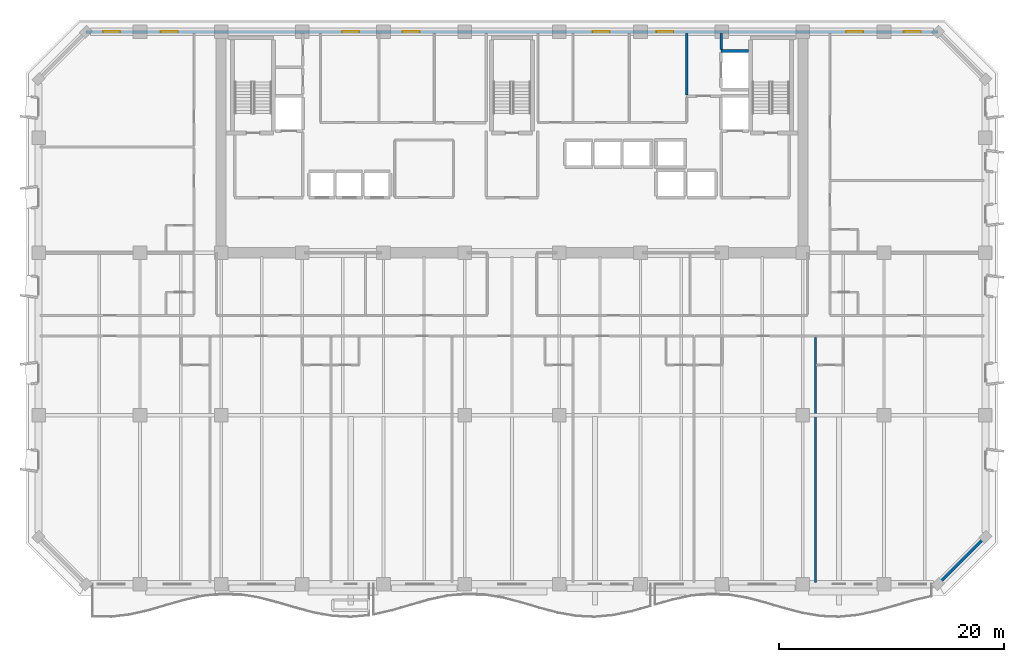
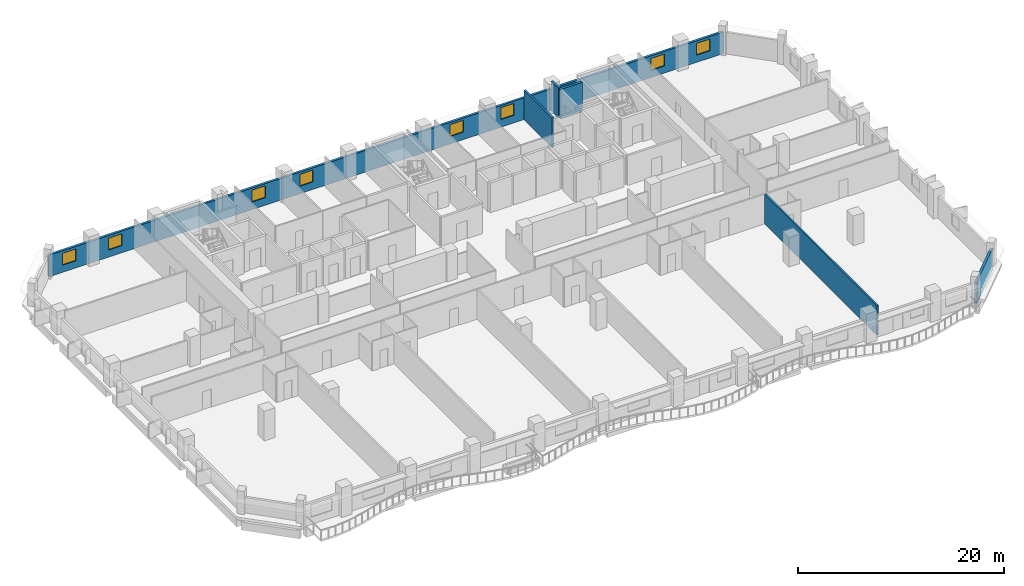
# One storey, part 9 of 15: 8 windows, 6 walls, 8 openings.
"""IFC4 building model written with IfcOpenShell, lengths in metres."""

import ifcopenshell
import ifcopenshell.guid

model = None  # the IFC model being written
_history = None  # IfcOwnerHistory: only IFC2X3 demands one
_inside = {}  # id of a spatial element -> (the spatial element, [elements in it])
_under = {}  # id of a project, library or spatial element -> (it, [spatial elements below it])
_declared = {}  # id of a project -> (the project, [libraries it declares])
_typed = {}  # id of a type object -> (the type object, [elements of that type])
_made_of = {}  # id of a material, layer set ... -> (it, [elements and type objects made of it])


def new_model(schema):
    """Start an empty IFC model of exactly this schema.

    Asked for "IFC4X3", IfcOpenShell would pick the latest addendum, in which some entities
    have other attributes; the version numbers below select the first issue.
    IFC2X3 requires an IfcOwnerHistory on every rooted entity: one is made here for all.
    """
    global model, _history
    if schema == "IFC4X3":
        model = ifcopenshell.file(schema_version=(4, 3, 0, 0))
    else:
        model = ifcopenshell.file(schema=schema)
    _inside.clear()
    _under.clear()
    _declared.clear()
    _typed.clear()
    _made_of.clear()
    _history = None
    if model.schema == "IFC2X3":
        org = make("IfcOrganization", Name="unknown")
        user = make(
            "IfcPersonAndOrganization",
            ThePerson=make("IfcPerson", FamilyName="unknown"),
            TheOrganization=org,
        )
        app = make(
            "IfcApplication",
            ApplicationDeveloper=org,
            Version="unknown",
            ApplicationFullName="unknown",
            ApplicationIdentifier="unknown",
        )
        _history = make(
            "IfcOwnerHistory",
            OwningUser=user,
            OwningApplication=app,
            ChangeAction="ADDED",
            CreationDate=0,
        )
    return model


def make(cls, **values):
    """One entity of the class cls with the attributes given. An attribute that is None is left unset."""
    return model.create_entity(
        cls, **{name: value for name, value in values.items() if value is not None}
    )


def rooted(cls, **values):
    """An entity with a GlobalId (a new one), such as an element, a storey or a relation."""
    return make(cls, GlobalId=ifcopenshell.guid.new(), OwnerHistory=_history, **values)


def si_unit(unit_type, name, prefix=None):
    """IfcSIUnit, for example si_unit("LENGTHUNIT", "METRE", prefix="MILLI")."""
    return make("IfcSIUnit", UnitType=unit_type, Prefix=prefix, Name=name)


def assignment(units):
    """IfcUnitAssignment: the units of a project."""
    return None if units is None else make("IfcUnitAssignment", Units=units)


def point(xyz):
    """IfcCartesianPoint."""
    return None if xyz is None else make("IfcCartesianPoint", Coordinates=xyz)


def direction(xyz):
    """IfcDirection."""
    return None if xyz is None else make("IfcDirection", DirectionRatios=xyz)


def frame(location, z_axis=None, x_axis=None):
    """IfcAxis2Placement3D, a coordinate frame: its origin and axes. An axis left out is left unset."""
    return make(
        "IfcAxis2Placement3D",
        Location=point(location),
        Axis=direction(z_axis),
        RefDirection=direction(x_axis),
    )


def frame_2d(location, x_axis=None):
    """IfcAxis2Placement2D, a coordinate frame in the plane: its origin and x axis."""
    return make(
        "IfcAxis2Placement2D", Location=point(location), RefDirection=direction(x_axis)
    )


def origin():
    """The frame at (0, 0, 0) with its axes left unset."""
    return frame((0.0, 0.0, 0.0))


def place(relative_to, where):
    """IfcLocalPlacement: puts the frame where relative to a parent placement (None: the world)."""
    return make(
        "IfcLocalPlacement", PlacementRelTo=relative_to, RelativePlacement=where
    )


def context(
    kind, dimensions, precision=None, world=None, true_north=None, identifier=None
):
    """IfcGeometricRepresentationContext, for example the 3D "Model" context."""
    return make(
        "IfcGeometricRepresentationContext",
        ContextIdentifier=identifier,
        ContextType=kind,
        CoordinateSpaceDimension=dimensions,
        Precision=precision,
        WorldCoordinateSystem=world,
        TrueNorth=true_north,
    )


def subcontext(parent, identifier, kind, view, scale=None):
    """IfcGeometricRepresentationSubContext, for example "Body" below "Model"."""
    return make(
        "IfcGeometricRepresentationSubContext",
        ContextIdentifier=identifier,
        ContextType=kind,
        ParentContext=parent,
        TargetScale=scale,
        TargetView=view,
    )


def project(units=None, contexts=None):
    """IfcProject with its units and contexts."""
    return rooted(
        "IfcProject",
        Name="project",
        RepresentationContexts=contexts,
        UnitsInContext=assignment(units),
    )


def spatial(cls, under=None, at=None, **own):
    """A site, building, storey or space (cls), placed at a placement, below another one or the project."""
    s = rooted(cls, ObjectPlacement=at, **own)
    if under is not None:
        _under.setdefault(under.id(), (under, []))[1].append(s)
    return s


def profile(cls, at=None, kind="AREA", **sizes):
    """A parametric profile (cls). Its sizes go by their IFC names, for example OverallWidth=200.0."""
    return make(cls, ProfileType=kind, Position=at, **sizes)


def rectangle(**sizes):
    """IfcRectangleProfileDef."""
    return profile("IfcRectangleProfileDef", **sizes)


def extrude(swept, where, along, depth):
    """IfcExtrudedAreaSolid: the profile swept, set in the frame where, extruded along a direction by depth."""
    return make(
        "IfcExtrudedAreaSolid",
        SweptArea=swept,
        Position=where,
        ExtrudedDirection=direction(along),
        Depth=depth,
    )


def shape(context_of_items, identifier, shape_type, items):
    """IfcShapeRepresentation: the items that make up one representation, for example the "Body"."""
    return make(
        "IfcShapeRepresentation",
        ContextOfItems=context_of_items,
        RepresentationIdentifier=identifier,
        RepresentationType=shape_type,
        Items=items,
    )


def material(Name=None, Category=None):
    """IfcMaterial."""
    return make("IfcMaterial", Name=Name, Category=Category)


def layer(
    of_material, thickness, ventilated=None, Name=None, Category=None, Priority=None
):
    """IfcMaterialLayer: one layer of a wall or slab, of a material (None: an air gap)."""
    return make(
        "IfcMaterialLayer",
        Material=of_material,
        LayerThickness=thickness,
        IsVentilated=ventilated,
        Name=Name,
        Category=Category,
        Priority=Priority,
    )


def layer_set(layers, Name=None):
    """IfcMaterialLayerSet."""
    return make("IfcMaterialLayerSet", MaterialLayers=layers, LayerSetName=Name)


def made_of(thing, what):
    """Note that an element or type object is made of a material, layer set ...; save() writes the relation."""
    if what is not None:
        _made_of.setdefault(what.id(), (what, []))[1].append(thing)
    return thing


def type_object(cls, material=None, **own):
    """A type object (cls), such as IfcWallType, which elements share."""
    return made_of(rooted(cls, **own), material)


def element(
    cls,
    number,
    at=None,
    inside=None,
    cuts=None,
    type_object=None,
    material=None,
    context=None,
    identifier="Body",
    shape_type=None,
    held_by="IfcProductDefinitionShape",
    body=None,
    shapes=None,
    **own,
):
    """One element of the class cls, such as IfcWall. Its Tag is "e" and its number.

    at: its placement. inside: the storey or other place that contains it. cuts: it is an
    opening in that element (IfcRelVoidsElement). A single representation is given by context,
    identifier, shape_type and body (its items); several are given by shapes. held_by: the class
    of the entity that holds the representations. save() writes the other relations.
    """
    e = rooted(cls, Tag="e%d" % number, ObjectPlacement=at, **own)
    if body is not None:
        shapes = [shape(context, identifier, shape_type, body)]
    if shapes is not None:
        e.Representation = make(held_by, Representations=shapes)
    if inside is not None:
        _inside.setdefault(inside.id(), (inside, []))[1].append(e)
    if cuts is not None:
        rooted(
            "IfcRelVoidsElement", RelatingBuildingElement=cuts, RelatedOpeningElement=e
        )
    if type_object is not None:
        _typed.setdefault(type_object.id(), (type_object, []))[1].append(e)
    return made_of(e, material)


def fill(opening, filler):
    """IfcRelFillsElement: the door or window that sits in an opening."""
    return rooted(
        "IfcRelFillsElement",
        RelatingOpeningElement=opening,
        RelatedBuildingElement=filler,
    )


def aggregate(whole, parts):
    """IfcRelAggregates: a whole, such as a stair, and the parts it consists of."""
    return rooted("IfcRelAggregates", RelatingObject=whole, RelatedObjects=parts)


def save(model, path):
    """Write the relations noted so far, then the file.

    IfcRelAggregates (storeys below a building ...), IfcRelContainedInSpatialStructure (elements
    in a storey), IfcRelDefinesByType, IfcRelAssociatesMaterial and IfcRelDeclares: one each for
    every whole, place, type object, material and project.
    """
    for whole, parts in _under.values():
        aggregate(whole, parts)
    for where, things in _inside.values():
        rooted(
            "IfcRelContainedInSpatialStructure",
            RelatedElements=things,
            RelatingStructure=where,
        )
    for kind, things in _typed.values():
        rooted("IfcRelDefinesByType", RelatedObjects=things, RelatingType=kind)
    for what, things in _made_of.values():
        rooted("IfcRelAssociatesMaterial", RelatedObjects=things, RelatingMaterial=what)
    for by, libraries in _declared.values():
        rooted("IfcRelDeclares", RelatingContext=by, RelatedDefinitions=libraries)
    model.write(path)


model = new_model("IFC4")

# Units and contexts
model_context = context("Model", 3, precision=1e-05, world=origin(), true_north=direction((0.0, 1.0)))
body_context = subcontext(model_context, "Body", "Model", "MODEL_VIEW")
ifc_project = project(units=[si_unit("LENGTHUNIT", "METRE"), si_unit("AREAUNIT", "SQUARE_METRE"), si_unit("VOLUMEUNIT", "CUBIC_METRE"), si_unit("PLANEANGLEUNIT", "RADIAN"), si_unit("MASSUNIT", "GRAM", prefix="KILO")], contexts=[model_context])

# Site, building, storey
site_placement = place(None, origin())
site = spatial("IfcSite", under=ifc_project, at=site_placement, CompositionType="ELEMENT")
building_placement = place(site_placement, origin())
building = spatial("IfcBuilding", under=site, at=building_placement, Name="Kaelvorn Grand Hotel", CompositionType="ELEMENT")
storey_placement = place(building_placement, frame((0.0, 0.0, 100.550048828125)))
storey = spatial("IfcBuildingStorey", under=building, at=storey_placement, Name="L23", CompositionType="ELEMENT", Elevation=100.550048828125)

# Wall
ifc_material_1 = material(Name="Concrete C40/50", Category="concrete")
ifc_layer_1 = layer(ifc_material_1, 0.260009765625)
ifc_layer_set_1 = layer_set([ifc_layer_1], Name="Concrete C40/50")
wall_type_1 = type_object("IfcWallType", Name="WL-EXT-260-C40", PredefinedType="SOLIDWALL", material=ifc_layer_set_1)
wall_1_placement = place(storey_placement, frame((79.800048828125, 0.0, 0.0), z_axis=(0.0, 0.0, 1.0), x_axis=(0.707106781187, 0.707106781187, 0.0)))
element("IfcWall", 1, at=wall_1_placement, inside=storey, type_object=wall_type_1, Name="L23 Exterior Architectural Concrete Wall 02", PredefinedType="SOLIDWALL", context=body_context, shape_type="SweptSolid", body=[
    extrude(rectangle(XDim=5.939697265625, YDim=0.260009765625, at=frame_2d((2.9697265625, 0.0))), origin(), (0.0, 0.0, 1.0), 2.56005859375),
])

# Wall, openings, windows
wall_2_placement = place(storey_placement, frame((79.800048828125, 49.0, 0.0), z_axis=(0.0, 0.0, 1.0), x_axis=(-1.0, 0.0, 0.0)))
wall_2 = element("IfcWall", 2, at=wall_2_placement, inside=storey, type_object=wall_type_1, Name="L23 Exterior Architectural Concrete Wall 05", PredefinedType="SOLIDWALL", context=body_context, shape_type="SweptSolid", body=[
    extrude(rectangle(XDim=75.60009765625, YDim=0.260009765625, at=frame_2d((37.800048828125, 0.0))), origin(), (0.0, 0.0, 1.0), 2.56005859375),
])
opening_1_placement = place(wall_2_placement, frame((72.56494140625, 0.0, 0.85009765625)))
opening_1 = element("IfcOpeningElement", 3, at=opening_1_placement, cuts=wall_2, Name="Opening W10", PredefinedType="OPENING", context=body_context, shape_type="SweptSolid", body=[
    extrude(rectangle(XDim=1.5, YDim=1.39990234375, at=frame_2d((0.75, 0.699951171875))), frame((0.0, 0.14013671875, 0.0), z_axis=(0.0, -1.0, 0.0), x_axis=(1.0, 0.0, 0.0)), (0.0, 0.0, 1.0), 0.280029296875),
])
opening_2_placement = place(wall_2_placement, frame((67.449951171875, 0.0, 0.85009765625)))
opening_2 = element("IfcOpeningElement", 4, at=opening_2_placement, cuts=wall_2, Name="Opening W10", PredefinedType="OPENING", context=body_context, shape_type="SweptSolid", body=[
    extrude(rectangle(XDim=1.5, YDim=1.39990234375, at=frame_2d((0.75, 0.699951171875))), frame((0.0, 0.14013671875, 0.0), z_axis=(0.0, -1.0, 0.0), x_axis=(1.0, 0.0, 0.0)), (0.0, 0.0, 1.0), 0.280029296875),
])
opening_3_placement = place(wall_2_placement, frame((6.64990234375, 0.0, 0.85009765625)))
opening_3 = element("IfcOpeningElement", 5, at=opening_3_placement, cuts=wall_2, Name="Opening W10", PredefinedType="OPENING", context=body_context, shape_type="SweptSolid", body=[
    extrude(rectangle(XDim=1.5, YDim=1.39990234375, at=frame_2d((0.75, 0.699951171875))), frame((0.0, 0.14013671875, 0.0), z_axis=(0.0, -1.0, 0.0), x_axis=(1.0, 0.0, 0.0)), (0.0, 0.0, 1.0), 0.280029296875),
])
opening_4_placement = place(wall_2_placement, frame((1.534912109375, 0.0, 0.85009765625)))
opening_4 = element("IfcOpeningElement", 6, at=opening_4_placement, cuts=wall_2, Name="Opening W10", PredefinedType="OPENING", context=body_context, shape_type="SweptSolid", body=[
    extrude(rectangle(XDim=1.5, YDim=1.39990234375, at=frame_2d((0.75, 0.699951171875))), frame((0.0, 0.14013671875, 0.0), z_axis=(0.0, -1.0, 0.0), x_axis=(1.0, 0.0, 0.0)), (0.0, 0.0, 1.0), 0.280029296875),
])
opening_5_placement = place(wall_2_placement, frame((51.364990234375, 0.0, 0.89990234375)))
opening_5 = element("IfcOpeningElement", 7, at=opening_5_placement, cuts=wall_2, Name="Opening W10", PredefinedType="OPENING", context=body_context, shape_type="SweptSolid", body=[
    extrude(rectangle(XDim=1.5, YDim=1.39990234375, at=frame_2d((0.75, 0.699951171875))), frame((0.0, 0.14013671875, 0.0), z_axis=(0.0, -1.0, 0.0), x_axis=(1.0, 0.0, 0.0)), (0.0, 0.0, 1.0), 0.280029296875),
])
opening_6_placement = place(wall_2_placement, frame((46.0, 0.0, 0.89990234375)))
opening_6 = element("IfcOpeningElement", 8, at=opening_6_placement, cuts=wall_2, Name="Opening W10", PredefinedType="OPENING", context=body_context, shape_type="SweptSolid", body=[
    extrude(rectangle(XDim=1.5, YDim=1.39990234375, at=frame_2d((0.75, 0.699951171875))), frame((0.0, 0.14013671875, 0.0), z_axis=(0.0, -1.0, 0.0), x_axis=(1.0, 0.0, 0.0)), (0.0, 0.0, 1.0), 0.280029296875),
])
opening_7_placement = place(wall_2_placement, frame((29.14990234375, 0.0, 0.89990234375)))
opening_7 = element("IfcOpeningElement", 9, at=opening_7_placement, cuts=wall_2, Name="Opening W10", PredefinedType="OPENING", context=body_context, shape_type="SweptSolid", body=[
    extrude(rectangle(XDim=1.5, YDim=1.39990234375, at=frame_2d((0.75, 0.699951171875))), frame((0.0, 0.14013671875, 0.0), z_axis=(0.0, -1.0, 0.0), x_axis=(1.0, 0.0, 0.0)), (0.0, 0.0, 1.0), 0.280029296875),
])
opening_8_placement = place(wall_2_placement, frame((23.485107421875, 0.0, 0.89990234375)))
opening_8 = element("IfcOpeningElement", 10, at=opening_8_placement, cuts=wall_2, Name="Opening W10", PredefinedType="OPENING", context=body_context, shape_type="SweptSolid", body=[
    extrude(rectangle(XDim=1.5, YDim=1.39990234375, at=frame_2d((0.75, 0.699951171875))), frame((0.0, 0.14013671875, 0.0), z_axis=(0.0, -1.0, 0.0), x_axis=(1.0, 0.0, 0.0)), (0.0, 0.0, 1.0), 0.280029296875),
])
ifc_material_2 = material(Name="Laminated Low-E Glass", Category="glass")
window_type = type_object("IfcWindowType", Name="WIN-COR-1500x1400", PartitioningType="SINGLE_PANEL", PredefinedType="WINDOW", material=ifc_material_2)
window_1_placement = place(opening_1_placement, origin())
window_1 = element("IfcWindow", 11, at=window_1_placement, inside=storey, type_object=window_type, Name="L23 North Wing Ribbon Window NW01", OverallHeight=1.39990234375, OverallWidth=1.5, PartitioningType="SINGLE_PANEL", PredefinedType="WINDOW", context=body_context, shape_type="SweptSolid", body=[
    extrude(rectangle(XDim=1.5, YDim=1.39990234375, at=frame_2d((0.75, 0.699951171875))), frame((0.0, 0.030029296875, 0.0), z_axis=(0.0, -1.0, 0.0), x_axis=(1.0, 0.0, 0.0)), (0.0, 0.0, 1.0), 0.06005859375),
])
fill(opening_1, window_1)
window_2_placement = place(opening_2_placement, origin())
window_2 = element("IfcWindow", 12, at=window_2_placement, inside=storey, type_object=window_type, Name="L23 North Wing Ribbon Window NW02", OverallHeight=1.39990234375, OverallWidth=1.5, PartitioningType="SINGLE_PANEL", PredefinedType="WINDOW", context=body_context, shape_type="SweptSolid", body=[
    extrude(rectangle(XDim=1.5, YDim=1.39990234375, at=frame_2d((0.75, 0.699951171875))), frame((0.0, 0.030029296875, 0.0), z_axis=(0.0, -1.0, 0.0), x_axis=(1.0, 0.0, 0.0)), (0.0, 0.0, 1.0), 0.06005859375),
])
fill(opening_2, window_2)
window_3_placement = place(opening_3_placement, origin())
window_3 = element("IfcWindow", 13, at=window_3_placement, inside=storey, type_object=window_type, Name="L23 North Wing Ribbon Window NW03", OverallHeight=1.39990234375, OverallWidth=1.5, PartitioningType="SINGLE_PANEL", PredefinedType="WINDOW", context=body_context, shape_type="SweptSolid", body=[
    extrude(rectangle(XDim=1.5, YDim=1.39990234375, at=frame_2d((0.75, 0.699951171875))), frame((0.0, 0.030029296875, 0.0), z_axis=(0.0, -1.0, 0.0), x_axis=(1.0, 0.0, 0.0)), (0.0, 0.0, 1.0), 0.06005859375),
])
fill(opening_3, window_3)
window_4_placement = place(opening_4_placement, origin())
window_4 = element("IfcWindow", 14, at=window_4_placement, inside=storey, type_object=window_type, Name="L23 North Wing Ribbon Window NW04", OverallHeight=1.39990234375, OverallWidth=1.5, PartitioningType="SINGLE_PANEL", PredefinedType="WINDOW", context=body_context, shape_type="SweptSolid", body=[
    extrude(rectangle(XDim=1.5, YDim=1.39990234375, at=frame_2d((0.75, 0.699951171875))), frame((0.0, 0.030029296875, 0.0), z_axis=(0.0, -1.0, 0.0), x_axis=(1.0, 0.0, 0.0)), (0.0, 0.0, 1.0), 0.06005859375),
])
fill(opening_4, window_4)
window_5_placement = place(opening_5_placement, origin())
window_5 = element("IfcWindow", 15, at=window_5_placement, inside=storey, type_object=window_type, Name="L23 North Core Clerestory Ribbon Window NC05", OverallHeight=1.39990234375, OverallWidth=1.5, PartitioningType="SINGLE_PANEL", PredefinedType="WINDOW", context=body_context, shape_type="SweptSolid", body=[
    extrude(rectangle(XDim=1.5, YDim=1.39990234375, at=frame_2d((0.75, 0.699951171875))), frame((0.0, 0.030029296875, 0.0), z_axis=(0.0, -1.0, 0.0), x_axis=(1.0, 0.0, 0.0)), (0.0, 0.0, 1.0), 0.06005859375),
])
fill(opening_5, window_5)
window_6_placement = place(opening_6_placement, origin())
window_6 = element("IfcWindow", 16, at=window_6_placement, inside=storey, type_object=window_type, Name="L23 North Core Clerestory Ribbon Window NC06", OverallHeight=1.39990234375, OverallWidth=1.5, PartitioningType="SINGLE_PANEL", PredefinedType="WINDOW", context=body_context, shape_type="SweptSolid", body=[
    extrude(rectangle(XDim=1.5, YDim=1.39990234375, at=frame_2d((0.75, 0.699951171875))), frame((0.0, 0.030029296875, 0.0), z_axis=(0.0, -1.0, 0.0), x_axis=(1.0, 0.0, 0.0)), (0.0, 0.0, 1.0), 0.06005859375),
])
fill(opening_6, window_6)
window_7_placement = place(opening_7_placement, origin())
window_7 = element("IfcWindow", 17, at=window_7_placement, inside=storey, type_object=window_type, Name="L23 North Core Clerestory Ribbon Window NC07", OverallHeight=1.39990234375, OverallWidth=1.5, PartitioningType="SINGLE_PANEL", PredefinedType="WINDOW", context=body_context, shape_type="SweptSolid", body=[
    extrude(rectangle(XDim=1.5, YDim=1.39990234375, at=frame_2d((0.75, 0.699951171875))), frame((0.0, 0.030029296875, 0.0), z_axis=(0.0, -1.0, 0.0), x_axis=(1.0, 0.0, 0.0)), (0.0, 0.0, 1.0), 0.06005859375),
])
fill(opening_7, window_7)
window_8_placement = place(opening_8_placement, origin())
window_8 = element("IfcWindow", 18, at=window_8_placement, inside=storey, type_object=window_type, Name="L23 North Core Clerestory Ribbon Window NC08", OverallHeight=1.39990234375, OverallWidth=1.5, PartitioningType="SINGLE_PANEL", PredefinedType="WINDOW", context=body_context, shape_type="SweptSolid", body=[
    extrude(rectangle(XDim=1.5, YDim=1.39990234375, at=frame_2d((0.75, 0.699951171875))), frame((0.0, 0.030029296875, 0.0), z_axis=(0.0, -1.0, 0.0), x_axis=(1.0, 0.0, 0.0)), (0.0, 0.0, 1.0), 0.06005859375),
])
fill(opening_8, window_8)

# Walls
ifc_material_3 = material(Name="Acoustic Gypsum & Stud Partition")
ifc_layer_2 = layer(ifc_material_3, 0.179931640625)
ifc_layer_set_2 = layer_set([ifc_layer_2], Name="Acoustic Gypsum & Stud Partition")
wall_type_2 = type_object("IfcWallType", Name="WL-PART-180-EI60", PredefinedType="PARTITIONING", material=ifc_layer_set_2)
wall_3_placement = place(storey_placement, frame((68.907470703125, 0.14990234375, 0.0), z_axis=(0.0, 0.0, 1.0), x_axis=(0.0, 1.0, 0.0)))
element("IfcWall", 19, at=wall_3_placement, inside=storey, type_object=wall_type_2, Name="L23 Deluxe Panoramic Suite L23-06 E Partition", PredefinedType="PARTITIONING", context=body_context, shape_type="SweptSolid", body=[
    extrude(rectangle(XDim=21.755126953125, YDim=0.179931640625, at=frame_2d((10.87744140625, 0.0))), origin(), (0.0, 0.0, 1.0), 3.510009765625),
])
ifc_layer_3 = layer(ifc_material_1, 0.219970703125)
ifc_layer_set_3 = layer_set([ifc_layer_3], Name="Concrete C40/50")
wall_type_3 = type_object("IfcWallType", Name="WL-PART-220-EI120", PredefinedType="PARTITIONING", material=ifc_layer_set_3)
wall_4_placement = place(storey_placement, frame((57.5, 43.4150390625, 0.0), z_axis=(0.0, 0.0, 1.0), x_axis=(0.0, 1.0, 0.0)))
element("IfcWall", 20, at=wall_4_placement, inside=storey, type_object=wall_type_3, Name="L23 Service Lift Lobby W Partition", PredefinedType="PARTITIONING", context=body_context, shape_type="SweptSolid", body=[
    extrude(rectangle(XDim=5.43505859375, YDim=0.219970703125, at=frame_2d((2.717529296875, 0.0))), origin(), (0.0, 0.0, 1.0), 3.510009765625),
])
wall_5_placement = place(storey_placement, frame((60.550048828125, 47.445068359375, 0.0), z_axis=(0.0, 0.0, 1.0), x_axis=(0.0, 1.0, 0.0)))
element("IfcWall", 21, at=wall_5_placement, inside=storey, type_object=wall_type_3, Name="L23 Service Lift Lobby E Partition", PredefinedType="PARTITIONING", context=body_context, shape_type="SweptSolid", body=[
    extrude(rectangle(XDim=1.405029296875, YDim=0.219970703125, at=frame_2d((0.70263671875, 0.0))), origin(), (0.0, 0.0, 1.0), 3.510009765625),
])
ifc_material_4 = material(Name="Concrete C50/60", Category="concrete")
ifc_layer_4 = layer(ifc_material_4, 0.280029296875)
ifc_layer_set_4 = layer_set([ifc_layer_4], Name="Concrete C50/60")
wall_type_4 = type_object("IfcWallType", Name="WL-SHAFT-280-C50", PredefinedType="SHEAR", material=ifc_layer_set_4)
wall_6_placement = place(storey_placement, frame((60.550048828125, 47.300048828125, 0.0), z_axis=(0.0, 0.0, 1.0), x_axis=(1.0, 0.0, 0.0)))
element("IfcWall", 22, at=wall_6_placement, inside=storey, type_object=wall_type_4, Name="L23 Lift SV1 Shaft North Wall", PredefinedType="SHEAR", context=body_context, shape_type="SweptSolid", body=[
    extrude(rectangle(XDim=2.4150390625, YDim=0.280029296875, at=frame_2d((1.20751953125, 0.0))), origin(), (0.0, 0.0, 1.0), 3.510009765625),
])

save(model, "model.ifc")
